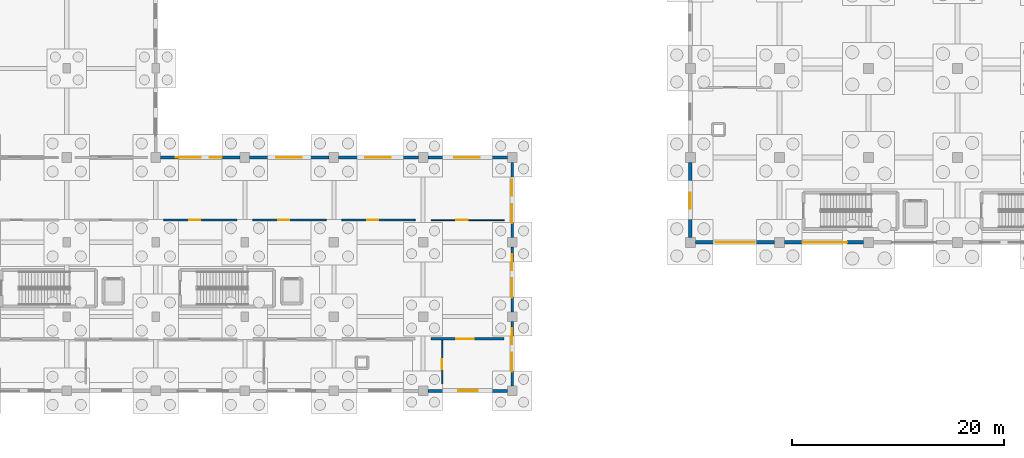
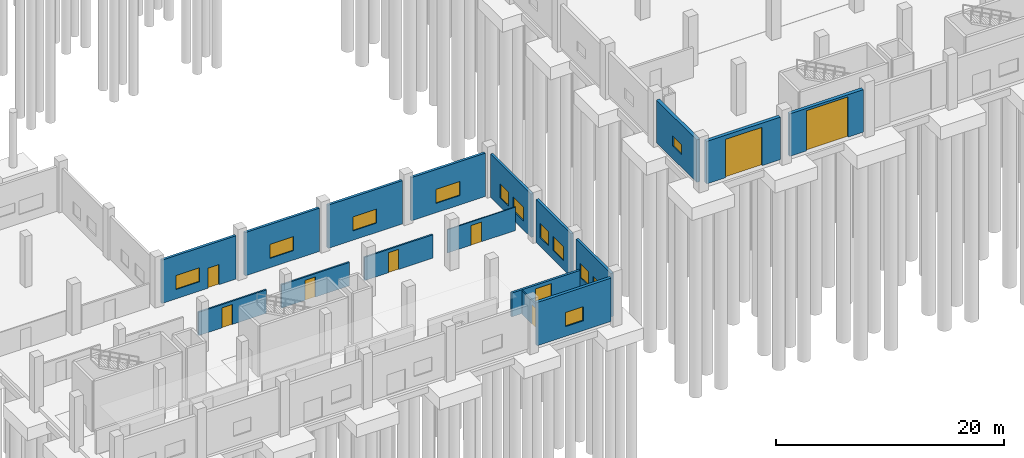
# One storey, part 53 of 83: 17 walls, 12 windows, 9 doors, 21 openings.
"""IFC4 building model written with IfcOpenShell, lengths in metres."""

from ifc_helpers import new_model, si_unit, direction, frame, frame_2d, origin, place, context, subcontext, project, spatial, rectangle, extrude, material, layer, layer_set, type_object, element, fill, save


model = new_model("IFC4")

# Units and contexts
model_context = context("Model", 3, precision=1e-05, world=origin(), true_north=direction((0.0, 1.0)))
body_context = subcontext(model_context, "Body", "Model", "MODEL_VIEW")
ifc_project = project(units=[si_unit("LENGTHUNIT", "METRE"), si_unit("AREAUNIT", "SQUARE_METRE"), si_unit("VOLUMEUNIT", "CUBIC_METRE"), si_unit("PLANEANGLEUNIT", "RADIAN"), si_unit("MASSUNIT", "GRAM", prefix="KILO"), si_unit("THERMODYNAMICTEMPERATUREUNIT", "KELVIN"), si_unit("POWERUNIT", "WATT")], contexts=[model_context])

# Site, building, storey
site_placement = place(None, origin())
site = spatial("IfcSite", under=ifc_project, at=site_placement, CompositionType="ELEMENT")
building_placement = place(site_placement, origin())
building = spatial("IfcBuilding", under=site, at=building_placement, Name="Mavoryth Pier Ferry Terminal", CompositionType="ELEMENT")
storey_placement = place(building_placement, origin())
storey = spatial("IfcBuildingStorey", under=building, at=storey_placement, Name="L00", CompositionType="ELEMENT", Elevation=0.0)

# Wall, openings, door, window
ifc_material_1 = material(Name="Insulated Pentelic Limestone-Faced Masonry", Category="masonry")
ifc_layer_1 = layer(ifc_material_1, 0.25, Name="Insulated Pentelic Limestone-Faced Masonry", Category="masonry")
ifc_layer_set_1 = layer_set([ifc_layer_1], Name="Insulated Pentelic Limestone-Faced Masonry - ExtWall-Facade-Masonry250")
wall_type_1 = type_object("IfcWallType", Name="ExtWall-Facade-Masonry250", PredefinedType="SOLIDWALL", material=ifc_layer_set_1)
wall_1_placement = place(storey_placement, frame((66.75, 22.0, 0.0), z_axis=(0.0, 0.0, 1.0), x_axis=(-1.0, 0.0, 0.0)))
wall_1 = element("IfcWall", 1, at=wall_1_placement, inside=storey, type_object=wall_type_1, Name="Exterior Wall EW-L00-142", PredefinedType="SOLIDWALL", context=body_context, shape_type="SweptSolid", body=[
    extrude(rectangle(XDim=7.5, YDim=0.25, at=frame_2d((3.75, 0.0))), origin(), (0.0, 0.0, 1.0), 4.625),
])
opening_1_placement = place(wall_1_placement, frame((1.739990234375, 0.0, 0.0)))
opening_1 = element("IfcOpeningElement", 2, at=opening_1_placement, cuts=wall_1, Name="Opening ED08-031", PredefinedType="OPENING", context=body_context, shape_type="SweptSolid", body=[
    extrude(rectangle(XDim=1.1201171875, YDim=2.14990234375, at=frame_2d((0.56005859375, 1.074951171875))), frame((0.0, 0.135009765625, 0.0), z_axis=(0.0, -1.0, 0.0), x_axis=(1.0, 0.0, 0.0)), (0.0, 0.0, 1.0), 0.27001953125),
])
opening_2_placement = place(wall_1_placement, frame((3.68994140625, 0.0, 1.0)))
opening_2 = element("IfcOpeningElement", 3, at=opening_2_placement, cuts=wall_1, Name="Opening WN02", PredefinedType="OPENING", context=body_context, shape_type="SweptSolid", body=[
    extrude(rectangle(XDim=2.39990234375, YDim=1.5, at=frame_2d((1.199951171875, 0.75))), frame((0.0, 0.135009765625, 0.0), z_axis=(0.0, -1.0, 0.0), x_axis=(1.0, 0.0, 0.0)), (0.0, 0.0, 1.0), 0.27001953125),
])
ifc_material_2 = material(Name="Thermally Broken Anodised Aluminium and Laminated Glass", Category="aluminium")
door_type_1 = type_object("IfcDoorType", Name="ExtDoor-SingleExit-1120x2150", OperationType="NOTDEFINED", PredefinedType="DOOR", material=ifc_material_2)
door_1_placement = place(opening_1_placement, origin())
door_1 = element("IfcDoor", 4, at=door_1_placement, inside=storey, type_object=door_type_1, Name="Exterior Pedestrian Exit Door ED08-031", OperationType="SINGLE_SWING_LEFT", OverallHeight=2.14990234375, OverallWidth=1.1201171875, PredefinedType="DOOR", context=body_context, shape_type="SweptSolid", body=[
    extrude(rectangle(XDim=1.1201171875, YDim=2.14990234375, at=frame_2d((0.56005859375, 1.074951171875))), frame((0.0, 0.02490234375, 0.0), z_axis=(0.0, -1.0, 0.0), x_axis=(1.0, 0.0, 0.0)), (0.0, 0.0, 1.0), 0.050048828125),
])
fill(opening_1, door_1)
ifc_material_3 = material(Name="Thermally Broken Aluminium and Low-E Double Glazing", Category="aluminium")
window_type_1 = type_object("IfcWindowType", Name="Win-Ops-2400x1500", PartitioningType="TRIPLE_PANEL_VERTICAL", PredefinedType="WINDOW", material=ifc_material_3)
window_1_placement = place(opening_2_placement, origin())
window_1 = element("IfcWindow", 5, at=window_1_placement, inside=storey, type_object=window_type_1, Name="Exterior Window 52", OverallHeight=1.5, OverallWidth=2.39990234375, PartitioningType="TRIPLE_PANEL_VERTICAL", PredefinedType="WINDOW", context=body_context, shape_type="SweptSolid", body=[
    extrude(rectangle(XDim=2.39990234375, YDim=1.5, at=frame_2d((1.199951171875, 0.75))), frame((0.0, 0.030029296875, 0.0), z_axis=(0.0, -1.0, 0.0), x_axis=(1.0, 0.0, 0.0)), (0.0, 0.0, 1.0), 0.06005859375),
])
fill(opening_2, window_1)

# Wall, opening, window
wall_2_placement = place(storey_placement, frame((75.14990234375, 22.0, 0.0), z_axis=(0.0, 0.0, 1.0), x_axis=(-1.0, 0.0, 0.0)))
wall_2 = element("IfcWall", 6, at=wall_2_placement, inside=storey, type_object=wall_type_1, Name="Exterior Wall EW-L00-144", PredefinedType="SOLIDWALL", context=body_context, shape_type="SweptSolid", body=[
    extrude(rectangle(XDim=7.5, YDim=0.25, at=frame_2d((3.75, 0.0))), origin(), (0.0, 0.0, 1.0), 4.625),
])
opening_3_placement = place(wall_2_placement, frame((2.590087890625, 0.0, 1.0)))
opening_3 = element("IfcOpeningElement", 7, at=opening_3_placement, cuts=wall_2, Name="Opening WN02", PredefinedType="OPENING", context=body_context, shape_type="SweptSolid", body=[
    extrude(rectangle(XDim=2.39990234375, YDim=1.5, at=frame_2d((1.199951171875, 0.75))), frame((0.0, 0.135009765625, 0.0), z_axis=(0.0, -1.0, 0.0), x_axis=(1.0, 0.0, 0.0)), (0.0, 0.0, 1.0), 0.27001953125),
])
window_2_placement = place(opening_3_placement, origin())
window_2 = element("IfcWindow", 8, at=window_2_placement, inside=storey, type_object=window_type_1, Name="Exterior Window 54", OverallHeight=1.5, OverallWidth=2.39990234375, PartitioningType="TRIPLE_PANEL_VERTICAL", PredefinedType="WINDOW", context=body_context, shape_type="SweptSolid", body=[
    extrude(rectangle(XDim=2.39990234375, YDim=1.5, at=frame_2d((1.199951171875, 0.75))), frame((0.0, 0.030029296875, 0.0), z_axis=(0.0, -1.0, 0.0), x_axis=(1.0, 0.0, 0.0)), (0.0, 0.0, 1.0), 0.06005859375),
])
fill(opening_3, window_2)

wall_3_placement = place(storey_placement, frame((83.550048828125, 22.0, 0.0), z_axis=(0.0, 0.0, 1.0), x_axis=(-1.0, 0.0, 0.0)))
wall_3 = element("IfcWall", 9, at=wall_3_placement, inside=storey, type_object=wall_type_1, Name="Exterior Wall EW-L00-146", PredefinedType="SOLIDWALL", context=body_context, shape_type="SweptSolid", body=[
    extrude(rectangle(XDim=7.5, YDim=0.25, at=frame_2d((3.75, 0.0))), origin(), (0.0, 0.0, 1.0), 4.625),
])
opening_4_placement = place(wall_3_placement, frame((2.590087890625, 0.0, 1.0)))
opening_4 = element("IfcOpeningElement", 10, at=opening_4_placement, cuts=wall_3, Name="Opening WN02", PredefinedType="OPENING", context=body_context, shape_type="SweptSolid", body=[
    extrude(rectangle(XDim=2.39990234375, YDim=1.5, at=frame_2d((1.199951171875, 0.75))), frame((0.0, 0.135009765625, 0.0), z_axis=(0.0, -1.0, 0.0), x_axis=(1.0, 0.0, 0.0)), (0.0, 0.0, 1.0), 0.27001953125),
])
window_3_placement = place(opening_4_placement, origin())
window_3 = element("IfcWindow", 11, at=window_3_placement, inside=storey, type_object=window_type_1, Name="Exterior Window 56", OverallHeight=1.5, OverallWidth=2.39990234375, PartitioningType="TRIPLE_PANEL_VERTICAL", PredefinedType="WINDOW", context=body_context, shape_type="SweptSolid", body=[
    extrude(rectangle(XDim=2.39990234375, YDim=1.5, at=frame_2d((1.199951171875, 0.75))), frame((0.0, 0.030029296875, 0.0), z_axis=(0.0, -1.0, 0.0), x_axis=(1.0, 0.0, 0.0)), (0.0, 0.0, 1.0), 0.06005859375),
])
fill(opening_4, window_3)

wall_4_placement = place(storey_placement, frame((91.949951171875, 22.0, 0.0), z_axis=(0.0, 0.0, 1.0), x_axis=(-1.0, 0.0, 0.0)))
wall_4 = element("IfcWall", 12, at=wall_4_placement, inside=storey, type_object=wall_type_1, Name="Exterior Wall EW-L00-148", PredefinedType="SOLIDWALL", context=body_context, shape_type="SweptSolid", body=[
    extrude(rectangle(XDim=7.5, YDim=0.25, at=frame_2d((3.75, 0.0))), origin(), (0.0, 0.0, 1.0), 4.625),
])
opening_5_placement = place(wall_4_placement, frame((2.590087890625, 0.0, 1.0)))
opening_5 = element("IfcOpeningElement", 13, at=opening_5_placement, cuts=wall_4, Name="Opening WN02", PredefinedType="OPENING", context=body_context, shape_type="SweptSolid", body=[
    extrude(rectangle(XDim=2.39990234375, YDim=1.5, at=frame_2d((1.199951171875, 0.75))), frame((0.0, 0.135009765625, 0.0), z_axis=(0.0, -1.0, 0.0), x_axis=(1.0, 0.0, 0.0)), (0.0, 0.0, 1.0), 0.27001953125),
])
window_4_placement = place(opening_5_placement, origin())
window_4 = element("IfcWindow", 14, at=window_4_placement, inside=storey, type_object=window_type_1, Name="Exterior Window 58", OverallHeight=1.5, OverallWidth=2.39990234375, PartitioningType="TRIPLE_PANEL_VERTICAL", PredefinedType="WINDOW", context=body_context, shape_type="SweptSolid", body=[
    extrude(rectangle(XDim=2.39990234375, YDim=1.5, at=frame_2d((1.199951171875, 0.75))), frame((0.0, 0.030029296875, 0.0), z_axis=(0.0, -1.0, 0.0), x_axis=(1.0, 0.0, 0.0)), (0.0, 0.0, 1.0), 0.06005859375),
])
fill(opening_5, window_4)

# Wall, openings, windows
wall_5_placement = place(storey_placement, frame((92.39990234375, 0.449951171875, 0.0), z_axis=(0.0, 0.0, 1.0), x_axis=(0.0, 1.0, 0.0)))
wall_5 = element("IfcWall", 15, at=wall_5_placement, inside=storey, type_object=wall_type_1, Name="Exterior Wall EW-L00-149", PredefinedType="SOLIDWALL", context=body_context, shape_type="SweptSolid", body=[
    extrude(rectangle(XDim=6.10009765625, YDim=0.25, at=frame_2d((3.050048828125, 0.0))), origin(), (0.0, 0.0, 1.0), 4.625),
])
opening_6_placement = place(wall_5_placement, frame((1.340087890625, 0.0, 0.949951171875)))
opening_6 = element("IfcOpeningElement", 16, at=opening_6_placement, cuts=wall_5, Name="Opening WN01", PredefinedType="OPENING", context=body_context, shape_type="SweptSolid", body=[
    extrude(rectangle(XDim=1.800048828125, YDim=1.5, at=frame_2d((0.89990234375, 0.75))), frame((0.0, 0.135009765625, 0.0), z_axis=(0.0, -1.0, 0.0), x_axis=(1.0, 0.0, 0.0)), (0.0, 0.0, 1.0), 0.27001953125),
])
opening_7_placement = place(wall_5_placement, frame((3.93994140625, 0.0, 0.949951171875)))
opening_7 = element("IfcOpeningElement", 17, at=opening_7_placement, cuts=wall_5, Name="Opening WN03", PredefinedType="OPENING", context=body_context, shape_type="SweptSolid", body=[
    extrude(rectangle(XDim=1.5, YDim=1.5, at=frame_2d((0.75, 0.75))), frame((0.0, 0.135009765625, 0.0), z_axis=(0.0, -1.0, 0.0), x_axis=(1.0, 0.0, 0.0)), (0.0, 0.0, 1.0), 0.27001953125),
])
window_type_2 = type_object("IfcWindowType", Name="Win-Ops-1500x1500", PartitioningType="SINGLE_PANEL", PredefinedType="WINDOW", material=ifc_material_3)
window_5_placement = place(opening_7_placement, origin())
window_5 = element("IfcWindow", 18, at=window_5_placement, inside=storey, type_object=window_type_2, Name="Exterior Window 60", OverallHeight=1.5, OverallWidth=1.5, PartitioningType="SINGLE_PANEL", PredefinedType="WINDOW", context=body_context, shape_type="SweptSolid", body=[
    extrude(rectangle(XDim=1.5, YDim=1.5, at=frame_2d((0.75, 0.75))), frame((0.0, 0.030029296875, 0.0), z_axis=(0.0, -1.0, 0.0), x_axis=(1.0, 0.0, 0.0)), (0.0, 0.0, 1.0), 0.06005859375),
])
fill(opening_7, window_5)
window_type_3 = type_object("IfcWindowType", Name="Win-Ops-1800x1500", PartitioningType="DOUBLE_PANEL_VERTICAL", PredefinedType="WINDOW", material=ifc_material_3)
window_6_placement = place(opening_6_placement, origin())
window_6 = element("IfcWindow", 19, at=window_6_placement, inside=storey, type_object=window_type_3, Name="Exterior Window 59", OverallHeight=1.5, OverallWidth=1.800048828125, PartitioningType="DOUBLE_PANEL_VERTICAL", PredefinedType="WINDOW", context=body_context, shape_type="SweptSolid", body=[
    extrude(rectangle(XDim=1.800048828125, YDim=1.5, at=frame_2d((0.89990234375, 0.75))), frame((0.0, 0.030029296875, 0.0), z_axis=(0.0, -1.0, 0.0), x_axis=(1.0, 0.0, 0.0)), (0.0, 0.0, 1.0), 0.06005859375),
])
fill(opening_6, window_6)

wall_6_placement = place(storey_placement, frame((92.39990234375, 7.449951171875, 0.0), z_axis=(0.0, 0.0, 1.0), x_axis=(0.0, 1.0, 0.0)))
wall_6 = element("IfcWall", 20, at=wall_6_placement, inside=storey, type_object=wall_type_1, Name="Exterior Wall EW-L00-150", PredefinedType="SOLIDWALL", context=body_context, shape_type="SweptSolid", body=[
    extrude(rectangle(XDim=6.10009765625, YDim=0.25, at=frame_2d((3.050048828125, 0.0))), origin(), (0.0, 0.0, 1.0), 4.625),
])
opening_8_placement = place(wall_6_placement, frame((1.340087890625, 0.0, 0.949951171875)))
opening_8 = element("IfcOpeningElement", 21, at=opening_8_placement, cuts=wall_6, Name="Opening WN01", PredefinedType="OPENING", context=body_context, shape_type="SweptSolid", body=[
    extrude(rectangle(XDim=1.800048828125, YDim=1.5, at=frame_2d((0.89990234375, 0.75))), frame((0.0, 0.135009765625, 0.0), z_axis=(0.0, -1.0, 0.0), x_axis=(1.0, 0.0, 0.0)), (0.0, 0.0, 1.0), 0.27001953125),
])
opening_9_placement = place(wall_6_placement, frame((3.93994140625, 0.0, 0.949951171875)))
opening_9 = element("IfcOpeningElement", 22, at=opening_9_placement, cuts=wall_6, Name="Opening WN03", PredefinedType="OPENING", context=body_context, shape_type="SweptSolid", body=[
    extrude(rectangle(XDim=1.5, YDim=1.5, at=frame_2d((0.75, 0.75))), frame((0.0, 0.135009765625, 0.0), z_axis=(0.0, -1.0, 0.0), x_axis=(1.0, 0.0, 0.0)), (0.0, 0.0, 1.0), 0.27001953125),
])
window_7_placement = place(opening_9_placement, origin())
window_7 = element("IfcWindow", 23, at=window_7_placement, inside=storey, type_object=window_type_2, Name="Exterior Window 62", OverallHeight=1.5, OverallWidth=1.5, PartitioningType="SINGLE_PANEL", PredefinedType="WINDOW", context=body_context, shape_type="SweptSolid", body=[
    extrude(rectangle(XDim=1.5, YDim=1.5, at=frame_2d((0.75, 0.75))), frame((0.0, 0.030029296875, 0.0), z_axis=(0.0, -1.0, 0.0), x_axis=(1.0, 0.0, 0.0)), (0.0, 0.0, 1.0), 0.06005859375),
])
fill(opening_9, window_7)
window_8_placement = place(opening_8_placement, origin())
window_8 = element("IfcWindow", 24, at=window_8_placement, inside=storey, type_object=window_type_3, Name="Exterior Window 61", OverallHeight=1.5, OverallWidth=1.800048828125, PartitioningType="DOUBLE_PANEL_VERTICAL", PredefinedType="WINDOW", context=body_context, shape_type="SweptSolid", body=[
    extrude(rectangle(XDim=1.800048828125, YDim=1.5, at=frame_2d((0.89990234375, 0.75))), frame((0.0, 0.030029296875, 0.0), z_axis=(0.0, -1.0, 0.0), x_axis=(1.0, 0.0, 0.0)), (0.0, 0.0, 1.0), 0.06005859375),
])
fill(opening_8, window_8)

wall_7_placement = place(storey_placement, frame((92.39990234375, 14.449951171875, 0.0), z_axis=(0.0, 0.0, 1.0), x_axis=(0.0, 1.0, 0.0)))
wall_7 = element("IfcWall", 25, at=wall_7_placement, inside=storey, type_object=wall_type_1, Name="Exterior Wall EW-L00-151", PredefinedType="SOLIDWALL", context=body_context, shape_type="SweptSolid", body=[
    extrude(rectangle(XDim=7.10009765625, YDim=0.25, at=frame_2d((3.550048828125, 0.0))), origin(), (0.0, 0.0, 1.0), 4.625),
])
opening_10_placement = place(wall_7_placement, frame((1.340087890625, 0.0, 0.949951171875)))
opening_10 = element("IfcOpeningElement", 26, at=opening_10_placement, cuts=wall_7, Name="Opening WN01", PredefinedType="OPENING", context=body_context, shape_type="SweptSolid", body=[
    extrude(rectangle(XDim=1.800048828125, YDim=1.5, at=frame_2d((0.89990234375, 0.75))), frame((0.0, 0.135009765625, 0.0), z_axis=(0.0, -1.0, 0.0), x_axis=(1.0, 0.0, 0.0)), (0.0, 0.0, 1.0), 0.27001953125),
])
opening_11_placement = place(wall_7_placement, frame((3.93994140625, 0.0, 0.949951171875)))
opening_11 = element("IfcOpeningElement", 27, at=opening_11_placement, cuts=wall_7, Name="Opening WN03", PredefinedType="OPENING", context=body_context, shape_type="SweptSolid", body=[
    extrude(rectangle(XDim=1.5, YDim=1.5, at=frame_2d((0.75, 0.75))), frame((0.0, 0.135009765625, 0.0), z_axis=(0.0, -1.0, 0.0), x_axis=(1.0, 0.0, 0.0)), (0.0, 0.0, 1.0), 0.27001953125),
])
window_9_placement = place(opening_11_placement, origin())
window_9 = element("IfcWindow", 28, at=window_9_placement, inside=storey, type_object=window_type_2, Name="Exterior Window 64", OverallHeight=1.5, OverallWidth=1.5, PartitioningType="SINGLE_PANEL", PredefinedType="WINDOW", context=body_context, shape_type="SweptSolid", body=[
    extrude(rectangle(XDim=1.5, YDim=1.5, at=frame_2d((0.75, 0.75))), frame((0.0, 0.030029296875, 0.0), z_axis=(0.0, -1.0, 0.0), x_axis=(1.0, 0.0, 0.0)), (0.0, 0.0, 1.0), 0.06005859375),
])
fill(opening_11, window_9)
window_10_placement = place(opening_10_placement, origin())
window_10 = element("IfcWindow", 29, at=window_10_placement, inside=storey, type_object=window_type_3, Name="Exterior Window 63", OverallHeight=1.5, OverallWidth=1.800048828125, PartitioningType="DOUBLE_PANEL_VERTICAL", PredefinedType="WINDOW", context=body_context, shape_type="SweptSolid", body=[
    extrude(rectangle(XDim=1.800048828125, YDim=1.5, at=frame_2d((0.89990234375, 0.75))), frame((0.0, 0.030029296875, 0.0), z_axis=(0.0, -1.0, 0.0), x_axis=(1.0, 0.0, 0.0)), (0.0, 0.0, 1.0), 0.06005859375),
])
fill(opening_10, window_10)

# Wall, opening, window
ifc_material_4 = material(Name="Concrete C35/45", Category="concrete")
ifc_layer_2 = layer(ifc_material_4, 0.2900390625, Name="Concrete C35/45", Category="concrete")
ifc_layer_set_2 = layer_set([ifc_layer_2], Name="Concrete C35/45 - ExtWall-Plant-RC290")
wall_type_2 = type_object("IfcWallType", Name="ExtWall-Plant-RC290", PredefinedType="SOLIDWALL", material=ifc_layer_set_2)
wall_8_placement = place(storey_placement, frame((84.449951171875, 0.0, 0.0), z_axis=(0.0, 0.0, 1.0), x_axis=(1.0, 0.0, 0.0)))
wall_8 = element("IfcWall", 30, at=wall_8_placement, inside=storey, type_object=wall_type_2, Name="Exterior Wall EW-L00-147", PredefinedType="SOLIDWALL", context=body_context, shape_type="SweptSolid", body=[
    extrude(rectangle(XDim=7.5, YDim=0.2900390625, at=frame_2d((3.75, 0.0))), origin(), (0.0, 0.0, 1.0), 4.625),
])
opening_12_placement = place(wall_8_placement, frame((2.889892578125, 0.0, 1.050048828125)))
opening_12 = element("IfcOpeningElement", 31, at=opening_12_placement, cuts=wall_8, Name="Opening WN01", PredefinedType="OPENING", context=body_context, shape_type="SweptSolid", body=[
    extrude(rectangle(XDim=1.800048828125, YDim=1.5, at=frame_2d((0.89990234375, 0.75))), frame((0.0, 0.155029296875, 0.0), z_axis=(0.0, -1.0, 0.0), x_axis=(1.0, 0.0, 0.0)), (0.0, 0.0, 1.0), 0.31005859375),
])
window_11_placement = place(opening_12_placement, origin())
window_11 = element("IfcWindow", 32, at=window_11_placement, inside=storey, type_object=window_type_3, Name="Exterior Window 57", OverallHeight=1.5, OverallWidth=1.800048828125, PartitioningType="DOUBLE_PANEL_VERTICAL", PredefinedType="WINDOW", context=body_context, shape_type="SweptSolid", body=[
    extrude(rectangle(XDim=1.800048828125, YDim=1.5, at=frame_2d((0.89990234375, 0.75))), frame((0.0, 0.030029296875, 0.0), z_axis=(0.0, -1.0, 0.0), x_axis=(1.0, 0.0, 0.0)), (0.0, 0.0, 1.0), 0.06005859375),
])
fill(opening_12, window_11)

# Wall, opening, door
ifc_layer_3 = layer(ifc_material_4, 0.340087890625, Name="Concrete C35/45", Category="concrete")
ifc_layer_set_3 = layer_set([ifc_layer_3], Name="Concrete C35/45 - ExtWall-Plinth-RC340")
wall_type_3 = type_object("IfcWallType", Name="ExtWall-Plinth-RC340", PredefinedType="SOLIDWALL", material=ifc_layer_set_3)
wall_9_placement = place(storey_placement, frame((109.675048828125, 14.0, 0.0), z_axis=(0.0, 0.0, 1.0), x_axis=(1.0, 0.0, 0.0)))
wall_9 = element("IfcWall", 33, at=wall_9_placement, inside=storey, type_object=wall_type_3, Name="Exterior Wall EW-L00-036", PredefinedType="SOLIDWALL", context=body_context, shape_type="SweptSolid", body=[
    extrude(rectangle(XDim=7.449951171875, YDim=0.340087890625, at=frame_2d((3.72509765625, 0.0))), origin(), (0.0, 0.0, 1.0), 4.544921875),
])
opening_13_placement = place(wall_9_placement, frame((1.9150390625, 0.0, 0.0)))
opening_13 = element("IfcOpeningElement", 34, at=opening_13_placement, cuts=wall_9, Name="Opening VG-18", PredefinedType="OPENING", context=body_context, shape_type="SweptSolid", body=[
    extrude(rectangle(XDim=3.699951171875, YDim=4.10009765625, at=frame_2d((1.85009765625, 2.050048828125))), frame((0.0, 0.179931640625, 0.0), z_axis=(0.0, -1.0, 0.0), x_axis=(1.0, 0.0, 0.0)), (0.0, 0.0, 1.0), 0.360107421875),
])
door_type_2 = type_object("IfcDoorType", Name="Gate-LoadingShutter-3700x4100", OperationType="NOTDEFINED", PredefinedType="GATE", material=ifc_material_2)
door_2_placement = place(opening_13_placement, origin())
door_2 = element("IfcDoor", 35, at=door_2_placement, inside=storey, type_object=door_type_2, Name="Vehicle Security Shutter VG-18", OperationType="ROLLINGUP", OverallHeight=4.10009765625, OverallWidth=3.699951171875, PredefinedType="GATE", context=body_context, shape_type="SweptSolid", body=[
    extrude(rectangle(XDim=3.699951171875, YDim=4.10009765625, at=frame_2d((1.85009765625, 2.050048828125))), frame((0.0, 0.02490234375, 0.0), z_axis=(0.0, -1.0, 0.0), x_axis=(1.0, 0.0, 0.0)), (0.0, 0.0, 1.0), 0.050048828125),
])
fill(opening_13, door_2)

wall_10_placement = place(storey_placement, frame((118.074951171875, 14.0, 0.0), z_axis=(0.0, 0.0, 1.0), x_axis=(1.0, 0.0, 0.0)))
wall_10 = element("IfcWall", 36, at=wall_10_placement, inside=storey, type_object=wall_type_3, Name="Exterior Wall EW-L00-038", PredefinedType="SOLIDWALL", context=body_context, shape_type="SweptSolid", body=[
    extrude(rectangle(XDim=7.449951171875, YDim=0.340087890625, at=frame_2d((3.72509765625, 0.0))), origin(), (0.0, 0.0, 1.0), 4.544921875),
])
opening_14_placement = place(wall_10_placement, frame((1.715087890625, 0.0, 0.0)))
opening_14 = element("IfcOpeningElement", 37, at=opening_14_placement, cuts=wall_10, Name="Opening VG-19", PredefinedType="OPENING", context=body_context, shape_type="SweptSolid", body=[
    extrude(rectangle(XDim=4.199951171875, YDim=4.300048828125, at=frame_2d((2.10009765625, 2.14990234375))), frame((0.0, 0.179931640625, 0.0), z_axis=(0.0, -1.0, 0.0), x_axis=(1.0, 0.0, 0.0)), (0.0, 0.0, 1.0), 0.360107421875),
])
door_type_3 = type_object("IfcDoorType", Name="Gate-VehicleShutter-4200x4300", OperationType="NOTDEFINED", PredefinedType="GATE", material=ifc_material_2)
door_3_placement = place(opening_14_placement, origin())
door_3 = element("IfcDoor", 38, at=door_3_placement, inside=storey, type_object=door_type_3, Name="Vehicle Security Shutter VG-19", OperationType="ROLLINGUP", OverallHeight=4.300048828125, OverallWidth=4.199951171875, PredefinedType="GATE", context=body_context, shape_type="SweptSolid", body=[
    extrude(rectangle(XDim=4.199951171875, YDim=4.300048828125, at=frame_2d((2.10009765625, 2.14990234375))), frame((0.0, 0.02490234375, 0.0), z_axis=(0.0, -1.0, 0.0), x_axis=(1.0, 0.0, 0.0)), (0.0, 0.0, 1.0), 0.050048828125),
])
fill(opening_14, door_3)

# Wall, opening, window
wall_11_placement = place(storey_placement, frame((109.199951171875, 21.52490234375, 0.0), z_axis=(0.0, 0.0, 1.0), x_axis=(0.0, -1.0, 0.0)))
wall_11 = element("IfcWall", 39, at=wall_11_placement, inside=storey, type_object=wall_type_3, Name="Exterior Wall EW-L00-050", PredefinedType="SOLIDWALL", context=body_context, shape_type="SweptSolid", body=[
    extrude(rectangle(XDim=7.0498046875, YDim=0.340087890625, at=frame_2d((3.52490234375, 0.0))), origin(), (0.0, 0.0, 1.0), 4.544921875),
])
opening_15_placement = place(wall_11_placement, frame((2.864990234375, 0.0, 1.35009765625)))
opening_15 = element("IfcOpeningElement", 40, at=opening_15_placement, cuts=wall_11, Name="Opening WN19", PredefinedType="OPENING", context=body_context, shape_type="SweptSolid", body=[
    extrude(rectangle(XDim=1.5, YDim=1.10009765625, at=frame_2d((0.75, 0.550048828125))), frame((0.0, 0.179931640625, 0.0), z_axis=(0.0, -1.0, 0.0), x_axis=(1.0, 0.0, 0.0)), (0.0, 0.0, 1.0), 0.360107421875),
])
window_type_4 = type_object("IfcWindowType", Name="Win-Plant-1500x1100", PartitioningType="SINGLE_PANEL", PredefinedType="WINDOW", material=ifc_material_3)
window_12_placement = place(opening_15_placement, origin())
window_12 = element("IfcWindow", 41, at=window_12_placement, inside=storey, type_object=window_type_4, Name="Exterior Window 34", OverallHeight=1.10009765625, OverallWidth=1.5, PartitioningType="SINGLE_PANEL", PredefinedType="WINDOW", context=body_context, shape_type="SweptSolid", body=[
    extrude(rectangle(XDim=1.5, YDim=1.10009765625, at=frame_2d((0.75, 0.550048828125))), frame((0.0, 0.030029296875, 0.0), z_axis=(0.0, -1.0, 0.0), x_axis=(1.0, 0.0, 0.0)), (0.0, 0.0, 1.0), 0.06005859375),
])
fill(opening_15, window_12)

# Wall, opening, door
ifc_layer_4 = layer(ifc_material_4, 0.219970703125, Name="Concrete C35/45", Category="concrete")
ifc_layer_set_4 = layer_set([ifc_layer_4], Name="Concrete C35/45 - IntWall-FireComp-220")
wall_type_4 = type_object("IfcWallType", Name="IntWall-FireComp-220", PredefinedType="SOLIDWALL", material=ifc_layer_set_4)
wall_12_placement = place(storey_placement, frame((84.75, 4.89990234375, 0.0), z_axis=(0.0, 0.0, 1.0), x_axis=(1.0, 0.0, 0.0)))
wall_12 = element("IfcWall", 42, at=wall_12_placement, inside=storey, type_object=wall_type_4, Name="Interior Wall IW-L00-0451", PredefinedType="SOLIDWALL", context=body_context, shape_type="SweptSolid", body=[
    extrude(rectangle(XDim=6.89990234375, YDim=0.219970703125, at=frame_2d((3.449951171875, 0.0))), origin(), (0.0, 0.0, 1.0), 2.550048828125),
])
opening_16_placement = place(wall_12_placement, frame((2.39990234375, 0.0, 0.0)))
opening_16 = element("IfcOpeningElement", 43, at=opening_16_placement, cuts=wall_12, Name="Opening ID13-120", PredefinedType="OPENING", context=body_context, shape_type="SweptSolid", body=[
    extrude(rectangle(XDim=1.639892578125, YDim=2.159912109375, at=frame_2d((0.81982421875, 1.080078125))), frame((0.0, 0.119873046875, 0.0), z_axis=(0.0, -1.0, 0.0), x_axis=(1.0, 0.0, 0.0)), (0.0, 0.0, 1.0), 0.239990234375),
])
ifc_material_5 = material(Name="Louvred Acoustic Steel Plant Door", Category="steel")
door_type_4 = type_object("IfcDoorType", Name="Door-PlantDouble-1640x2160", OperationType="NOTDEFINED", PredefinedType="DOOR", material=ifc_material_5)
door_4_placement = place(opening_16_placement, origin())
door_4 = element("IfcDoor", 44, at=door_4_placement, inside=storey, type_object=door_type_4, Name="Interior Door ID13-120", OperationType="DOUBLE_DOOR_SINGLE_SWING", OverallHeight=2.159912109375, OverallWidth=1.639892578125, PredefinedType="DOOR", context=body_context, shape_type="SweptSolid", body=[
    extrude(rectangle(XDim=1.639892578125, YDim=2.159912109375, at=frame_2d((0.81982421875, 1.080078125))), frame((0.0, 0.02490234375, 0.0), z_axis=(0.0, -1.0, 0.0), x_axis=(1.0, 0.0, 0.0)), (0.0, 0.0, 1.0), 0.050048828125),
])
fill(opening_16, door_4)

ifc_material_6 = material(Name="Double-Stud Acoustic Gypsum Partition")
ifc_layer_5 = layer(ifc_material_6, 0.159912109375, Name="Double-Stud Acoustic Gypsum Partition")
ifc_layer_set_5 = layer_set([ifc_layer_5], Name="Double-Stud Acoustic Gypsum Partition - Part-Acoustic-160")
wall_type_5 = type_object("IfcWallType", Name="Part-Acoustic-160", PredefinedType="PARTITIONING", material=ifc_layer_set_5)
wall_13_placement = place(storey_placement, frame((59.550048828125, 16.10009765625, 0.0), z_axis=(0.0, 0.0, 1.0), x_axis=(1.0, 0.0, 0.0)))
wall_13 = element("IfcWall", 45, at=wall_13_placement, inside=storey, type_object=wall_type_5, Name="Interior Wall IW-L00-0445", PredefinedType="PARTITIONING", context=body_context, shape_type="SweptSolid", body=[
    extrude(rectangle(XDim=6.89990234375, YDim=0.159912109375, at=frame_2d((3.449951171875, 0.0))), origin(), (0.0, 0.0, 1.0), 2.5),
])
opening_17_placement = place(wall_13_placement, frame((2.39990234375, 0.0, 0.0)))
opening_17 = element("IfcOpeningElement", 46, at=opening_17_placement, cuts=wall_13, Name="Opening ID08-114", PredefinedType="OPENING", context=body_context, shape_type="SweptSolid", body=[
    extrude(rectangle(XDim=1.0400390625, YDim=2.139892578125, at=frame_2d((0.52001953125, 1.06982421875))), frame((0.0, 0.08984375, 0.0), z_axis=(0.0, -1.0, 0.0), x_axis=(1.0, 0.0, 0.0)), (0.0, 0.0, 1.0), 0.179931640625),
])
ifc_material_7 = material(Name="Solid-Core Oak Veneer Timber Door", Category="wood")
door_type_5 = type_object("IfcDoorType", Name="Door-RoomSingle-1040x2140", OperationType="NOTDEFINED", PredefinedType="DOOR", material=ifc_material_7)
door_5_placement = place(opening_17_placement, origin())
door_5 = element("IfcDoor", 47, at=door_5_placement, inside=storey, type_object=door_type_5, Name="Interior Door ID08-114", OperationType="SINGLE_SWING_RIGHT", OverallHeight=2.139892578125, OverallWidth=1.0400390625, PredefinedType="DOOR", context=body_context, shape_type="SweptSolid", body=[
    extrude(rectangle(XDim=1.0400390625, YDim=2.139892578125, at=frame_2d((0.52001953125, 1.06982421875))), frame((0.0, 0.02490234375, 0.0), z_axis=(0.0, -1.0, 0.0), x_axis=(1.0, 0.0, 0.0)), (0.0, 0.0, 1.0), 0.050048828125),
])
fill(opening_17, door_5)

wall_14_placement = place(storey_placement, frame((67.949951171875, 16.10009765625, 0.0), z_axis=(0.0, 0.0, 1.0), x_axis=(1.0, 0.0, 0.0)))
wall_14 = element("IfcWall", 48, at=wall_14_placement, inside=storey, type_object=wall_type_5, Name="Interior Wall IW-L00-0448", PredefinedType="PARTITIONING", context=body_context, shape_type="SweptSolid", body=[
    extrude(rectangle(XDim=6.900146484375, YDim=0.159912109375, at=frame_2d((3.4501953125, 0.0))), origin(), (0.0, 0.0, 1.0), 2.5),
])
opening_18_placement = place(wall_14_placement, frame((2.39990234375, 0.0, 0.0)))
opening_18 = element("IfcOpeningElement", 49, at=opening_18_placement, cuts=wall_14, Name="Opening ID08-117", PredefinedType="OPENING", context=body_context, shape_type="SweptSolid", body=[
    extrude(rectangle(XDim=1.0400390625, YDim=2.139892578125, at=frame_2d((0.52001953125, 1.06982421875))), frame((0.0, 0.08984375, 0.0), z_axis=(0.0, -1.0, 0.0), x_axis=(1.0, 0.0, 0.0)), (0.0, 0.0, 1.0), 0.179931640625),
])
door_6_placement = place(opening_18_placement, origin())
door_6 = element("IfcDoor", 50, at=door_6_placement, inside=storey, type_object=door_type_5, Name="Interior Door ID08-117", OperationType="SINGLE_SWING_RIGHT", OverallHeight=2.139892578125, OverallWidth=1.0400390625, PredefinedType="DOOR", context=body_context, shape_type="SweptSolid", body=[
    extrude(rectangle(XDim=1.0400390625, YDim=2.139892578125, at=frame_2d((0.52001953125, 1.06982421875))), frame((0.0, 0.02490234375, 0.0), z_axis=(0.0, -1.0, 0.0), x_axis=(1.0, 0.0, 0.0)), (0.0, 0.0, 1.0), 0.050048828125),
])
fill(opening_18, door_6)

wall_15_placement = place(storey_placement, frame((76.35009765625, 16.10009765625, 0.0), z_axis=(0.0, 0.0, 1.0), x_axis=(1.0, 0.0, 0.0)))
wall_15 = element("IfcWall", 51, at=wall_15_placement, inside=storey, type_object=wall_type_5, Name="Interior Wall IW-L00-0450", PredefinedType="PARTITIONING", context=body_context, shape_type="SweptSolid", body=[
    extrude(rectangle(XDim=6.89990234375, YDim=0.159912109375, at=frame_2d((3.449951171875, 0.0))), origin(), (0.0, 0.0, 1.0), 2.5),
])
opening_19_placement = place(wall_15_placement, frame((2.39990234375, 0.0, 0.0)))
opening_19 = element("IfcOpeningElement", 52, at=opening_19_placement, cuts=wall_15, Name="Opening ID08-119", PredefinedType="OPENING", context=body_context, shape_type="SweptSolid", body=[
    extrude(rectangle(XDim=1.0400390625, YDim=2.139892578125, at=frame_2d((0.52001953125, 1.06982421875))), frame((0.0, 0.08984375, 0.0), z_axis=(0.0, -1.0, 0.0), x_axis=(1.0, 0.0, 0.0)), (0.0, 0.0, 1.0), 0.179931640625),
])
door_7_placement = place(opening_19_placement, origin())
door_7 = element("IfcDoor", 53, at=door_7_placement, inside=storey, type_object=door_type_5, Name="Interior Door ID08-119", OperationType="SINGLE_SWING_LEFT", OverallHeight=2.139892578125, OverallWidth=1.0400390625, PredefinedType="DOOR", context=body_context, shape_type="SweptSolid", body=[
    extrude(rectangle(XDim=1.0400390625, YDim=2.139892578125, at=frame_2d((0.52001953125, 1.06982421875))), frame((0.0, 0.02490234375, 0.0), z_axis=(0.0, -1.0, 0.0), x_axis=(1.0, 0.0, 0.0)), (0.0, 0.0, 1.0), 0.050048828125),
])
fill(opening_19, door_7)

ifc_material_8 = material(Name="Metal-Stud Gypsum Partition")
ifc_layer_6 = layer(ifc_material_8, 0.1201171875, Name="Metal-Stud Gypsum Partition")
ifc_layer_set_6 = layer_set([ifc_layer_6], Name="Metal-Stud Gypsum Partition - Part-Standard-120")
wall_type_6 = type_object("IfcWallType", Name="Part-Standard-120", PredefinedType="PARTITIONING", material=ifc_layer_set_6)
wall_16_placement = place(storey_placement, frame((85.800048828125, 0.64990234375, 0.0), z_axis=(0.0, 0.0, 1.0), x_axis=(0.0, 1.0, 0.0)))
wall_16 = element("IfcWall", 54, at=wall_16_placement, inside=storey, type_object=wall_type_6, Name="Interior Wall IW-L00-0452", PredefinedType="PARTITIONING", context=body_context, shape_type="SweptSolid", body=[
    extrude(rectangle(XDim=4.10009765625, YDim=0.1201171875, at=frame_2d((2.050048828125, 0.0))), origin(), (0.0, 0.0, 1.0), 2.5),
])
opening_20_placement = place(wall_16_placement, frame((1.39990234375, 0.0, 0.0)))
opening_20 = element("IfcOpeningElement", 55, at=opening_20_placement, cuts=wall_16, Name="Opening ID10-121", PredefinedType="OPENING", context=body_context, shape_type="SweptSolid", body=[
    extrude(rectangle(XDim=0.93994140625, YDim=2.080078125, at=frame_2d((0.469970703125, 1.0400390625))), frame((0.0, 0.070068359375, 0.0), z_axis=(0.0, -1.0, 0.0), x_axis=(1.0, 0.0, 0.0)), (0.0, 0.0, 1.0), 0.14013671875),
])
door_type_6 = type_object("IfcDoorType", Name="Door-RoomSingle-940x2080", OperationType="NOTDEFINED", PredefinedType="DOOR", material=ifc_material_7)
door_8_placement = place(opening_20_placement, origin())
door_8 = element("IfcDoor", 56, at=door_8_placement, inside=storey, type_object=door_type_6, Name="Interior Door ID10-121", OperationType="SINGLE_SWING_RIGHT", OverallHeight=2.080078125, OverallWidth=0.93994140625, PredefinedType="DOOR", context=body_context, shape_type="SweptSolid", body=[
    extrude(rectangle(XDim=0.93994140625, YDim=2.080078125, at=frame_2d((0.469970703125, 1.0400390625))), frame((0.0, 0.02490234375, 0.0), z_axis=(0.0, -1.0, 0.0), x_axis=(1.0, 0.0, 0.0)), (0.0, 0.0, 1.0), 0.050048828125),
])
fill(opening_20, door_8)

ifc_material_9 = material(Name="Moisture-Resistant Cement-Board Partition")
ifc_layer_7 = layer(ifc_material_9, 0.10009765625, Name="Moisture-Resistant Cement-Board Partition")
ifc_layer_set_7 = layer_set([ifc_layer_7], Name="Moisture-Resistant Cement-Board Partition - Part-WetArea-100")
wall_type_7 = type_object("IfcWallType", Name="Part-WetArea-100", PredefinedType="PARTITIONING", material=ifc_layer_set_7)
wall_17_placement = place(storey_placement, frame((84.75, 16.10009765625, 0.0), z_axis=(0.0, 0.0, 1.0), x_axis=(1.0, 0.0, 0.0)))
wall_17 = element("IfcWall", 57, at=wall_17_placement, inside=storey, type_object=wall_type_7, Name="Interior Wall IW-L00-0453", PredefinedType="PARTITIONING", context=body_context, shape_type="SweptSolid", body=[
    extrude(rectangle(XDim=6.89990234375, YDim=0.10009765625, at=frame_2d((3.449951171875, 0.0))), origin(), (0.0, 0.0, 1.0), 2.5),
])
opening_21_placement = place(wall_17_placement, frame((2.39990234375, 0.0, 0.0)))
opening_21 = element("IfcOpeningElement", 58, at=opening_21_placement, cuts=wall_17, Name="Opening ID11-122", PredefinedType="OPENING", context=body_context, shape_type="SweptSolid", body=[
    extrude(rectangle(XDim=1.06005859375, YDim=2.10009765625, at=frame_2d((0.530029296875, 1.050048828125))), frame((0.0, 0.06005859375, 0.0), z_axis=(0.0, -1.0, 0.0), x_axis=(1.0, 0.0, 0.0)), (0.0, 0.0, 1.0), 0.1201171875),
])
ifc_material_10 = material(Name="High-Pressure Laminate Accessible Door")
door_type_7 = type_object("IfcDoorType", Name="Door-AccessibleWC-1060x2100", OperationType="NOTDEFINED", PredefinedType="DOOR", material=ifc_material_10)
door_9_placement = place(opening_21_placement, origin())
door_9 = element("IfcDoor", 59, at=door_9_placement, inside=storey, type_object=door_type_7, Name="Interior Door ID11-122", OperationType="SINGLE_SWING_LEFT", OverallHeight=2.10009765625, OverallWidth=1.06005859375, PredefinedType="DOOR", context=body_context, shape_type="SweptSolid", body=[
    extrude(rectangle(XDim=1.06005859375, YDim=2.10009765625, at=frame_2d((0.530029296875, 1.050048828125))), frame((0.0, 0.02490234375, 0.0), z_axis=(0.0, -1.0, 0.0), x_axis=(1.0, 0.0, 0.0)), (0.0, 0.0, 1.0), 0.050048828125),
])
fill(opening_21, door_9)

save(model, "model.ifc")
